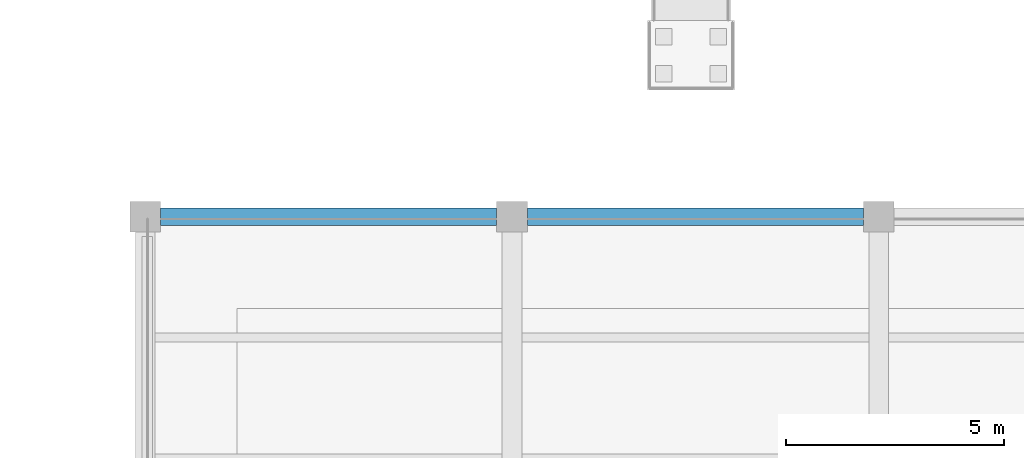
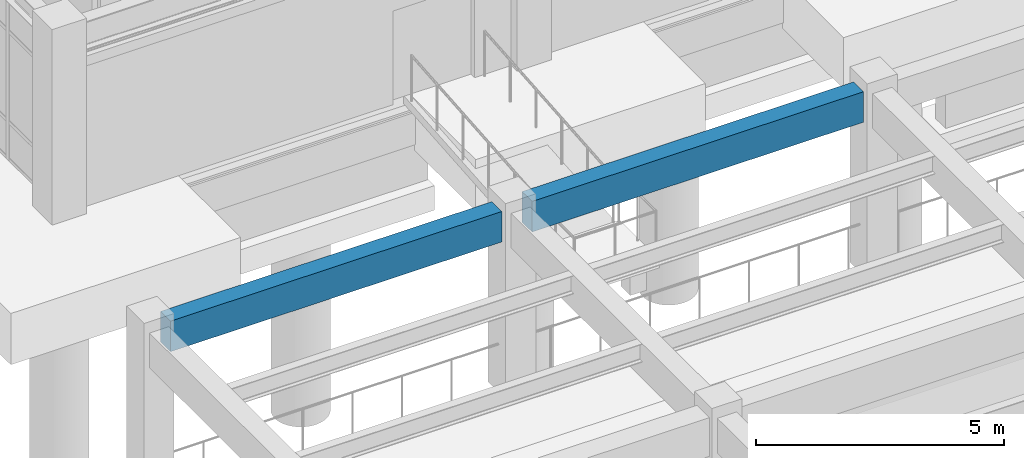
# One storey, part 32 of 98: 2 beams.
"""IFC4 building model written with IfcOpenShell, lengths in metres."""

from ifc_helpers import new_model, si_unit, direction, frame, origin, origin_2d, place, context, subcontext, project, spatial, rectangle, extrude, material, material_profile, profile_set, type_object, element, save


model = new_model("IFC4")

# Units and contexts
model_context = context("Model", 3, precision=1e-05, world=origin(), true_north=direction((0.0, 1.0)))
body_context = subcontext(model_context, "Body", "Model", "MODEL_VIEW")
ifc_project = project(units=[si_unit("LENGTHUNIT", "METRE"), si_unit("AREAUNIT", "SQUARE_METRE"), si_unit("VOLUMEUNIT", "CUBIC_METRE"), si_unit("PLANEANGLEUNIT", "RADIAN"), si_unit("MASSUNIT", "GRAM", prefix="KILO")], contexts=[model_context])

# Site, building, storey
site_placement = place(None, origin())
site = spatial("IfcSite", under=ifc_project, at=site_placement, CompositionType="ELEMENT")
building_placement = place(site_placement, origin())
building = spatial("IfcBuilding", under=site, at=building_placement, Name="Canglan Escarpment Cableway Terminal", CompositionType="ELEMENT")
storey_placement = place(building_placement, frame((0.0, 0.0, 9.60009765625)))
storey = spatial("IfcBuildingStorey", under=building, at=storey_placement, Name="L02", CompositionType="ELEMENT", Elevation=9.60009765625)

# Beams
ifc_material = material(Name="Concrete C40", Category="concrete")
ifc_material_profile = material_profile(ifc_material, rectangle(XDim=0.39990234375, YDim=0.75, at=origin_2d()), Name="RC 400x750")
ifc_profile_set = profile_set([ifc_material_profile], Name="Concrete C40")
beam_type = type_object("IfcBeamType", Name="SP-RC400x750", PredefinedType="SPANDREL", material=ifc_profile_set)
for number, where, z_axis, x_axis, name in (
    (1, (111.85009765625, 33.10009765625, 4.14501953125), (1.0, 0.0, 0.0), (0.0, 1.0, 0.0), "Primary structural girder SP-01"),
    (2, (120.25, 33.10009765625, 4.14501953125), (1.0, 0.0, 0.0), (0.0, 1.0, 0.0), "Primary structural girder SP-01"),
):
    element("IfcBeam", number, at=place(storey_placement, frame(where, z_axis=z_axis, x_axis=x_axis)), inside=storey, type_object=beam_type, Name=name, PredefinedType="SPANDREL", context=body_context, shape_type="SweptSolid", body=[
        extrude(rectangle(XDim=0.39990234375, YDim=0.75, at=origin_2d()), origin(), (0.0, 0.0, 1.0), 7.699951171875),
    ])

save(model, "model.ifc")
